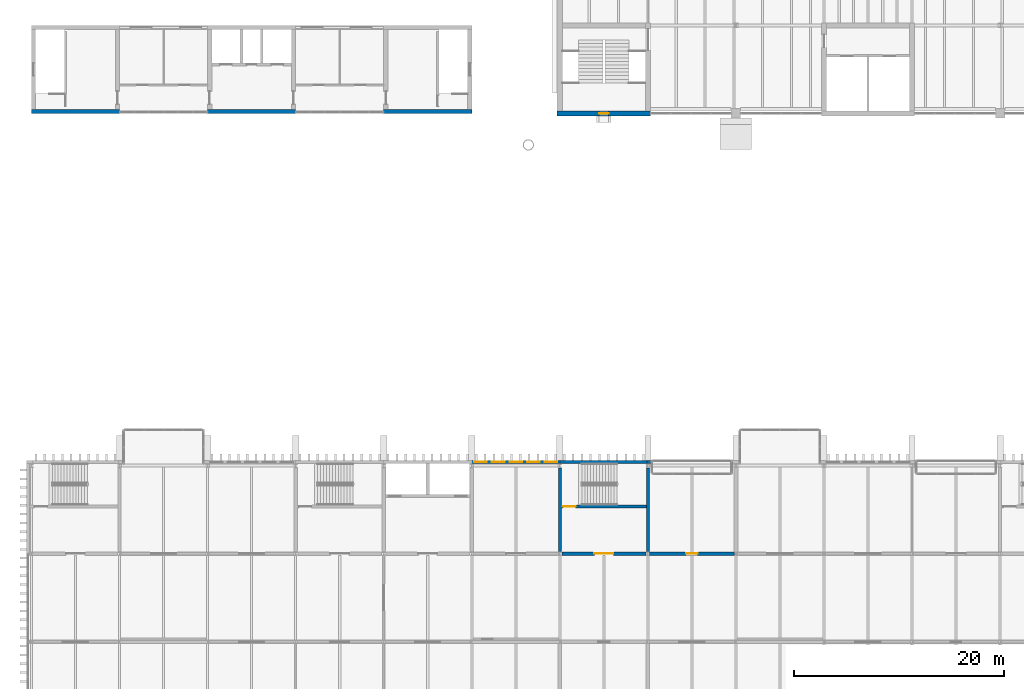
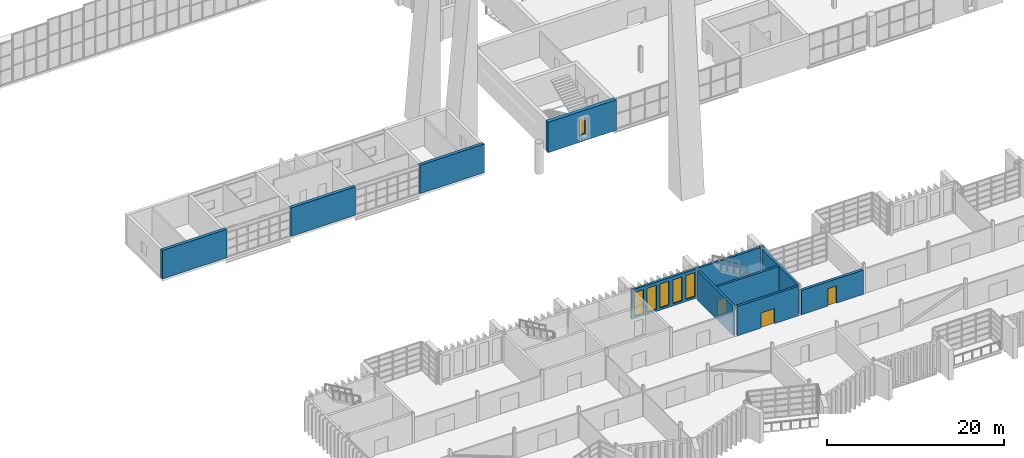
# One storey, part 62 of 100: 12 walls, 6 windows, 3 doors, 9 openings.
"""IFC4 building model written with IfcOpenShell, lengths in metres."""

from ifc_helpers import new_model, si_unit, direction, frame, frame_2d, origin, place, context, subcontext, project, spatial, rectangle, extrude, material, layer, layer_set, type_object, element, fill, save


model = new_model("IFC4")

# Units and contexts
model_context = context("Model", 3, precision=1e-05, world=origin(), true_north=direction((0.0, 1.0)))
body_context = subcontext(model_context, "Body", "Model", "MODEL_VIEW")
ifc_project = project(units=[si_unit("LENGTHUNIT", "METRE"), si_unit("AREAUNIT", "SQUARE_METRE"), si_unit("VOLUMEUNIT", "CUBIC_METRE"), si_unit("PLANEANGLEUNIT", "RADIAN"), si_unit("MASSUNIT", "GRAM", prefix="KILO")], contexts=[model_context])

# Site, building, storey
site_placement = place(None, origin())
site = spatial("IfcSite", under=ifc_project, at=site_placement, CompositionType="ELEMENT")
building_placement = place(site_placement, origin())
building = spatial("IfcBuilding", under=site, at=building_placement, Name="Cresset Court Congress Hotel", CompositionType="ELEMENT")
storey_placement = place(building_placement, frame((0.0, 0.0, 10.199951171875)))
storey = spatial("IfcBuildingStorey", under=building, at=storey_placement, Name="L02", CompositionType="ELEMENT", Elevation=10.199951171875)

# Wall, opening, door
ifc_material_1 = material(Name="Double gypsum board leaves on steel studs with mineral wool", Category="steel")
ifc_layer_1 = layer(ifc_material_1, 0.35009765625)
ifc_layer_set_1 = layer_set([ifc_layer_1], Name="Acoustic double-leaf boardroom wall 350")
wall_type_1 = type_object("IfcWallType", Name="Acoustic double-leaf boardroom wall 350", PredefinedType="PARTITIONING", material=ifc_layer_set_1)
wall_1_placement = place(storey_placement, frame((67.35009765625, 16.800048828125, 0.0), z_axis=(0.0, 0.0, 1.0), x_axis=(1.0, 0.0, 0.0)))
wall_1 = element("IfcWall", 1, at=wall_1_placement, inside=storey, type_object=wall_type_1, Name="Boardroom acoustic wall", PredefinedType="PARTITIONING", context=body_context, shape_type="SweptSolid", body=[
    extrude(rectangle(XDim=8.099853515625, YDim=0.35009765625, at=frame_2d((4.0498046875, 0.0))), origin(), (0.0, 0.0, 1.0), 3.35009765625),
])
opening_1_placement = place(wall_1_placement, frame((3.5, 0.0, 0.0)))
opening_1 = element("IfcOpeningElement", 2, at=opening_1_placement, cuts=wall_1, Name="Opening DB-02-20", PredefinedType="OPENING", context=body_context, shape_type="SweptSolid", body=[
    extrude(rectangle(XDim=1.10009765625, YDim=2.39990234375, at=frame_2d((0.550048828125, 1.199951171875))), frame((0.0, 0.18505859375, 0.0), z_axis=(0.0, -1.0, 0.0), x_axis=(1.0, 0.0, 0.0)), (0.0, 0.0, 1.0), 0.3701171875),
])
ifc_material_2 = material(Name="Solid-core timber with acoustic seals", Category="wood")
door_type_1 = type_object("IfcDoorType", Name="Boardroom acoustic door FD30 1100x2400", OperationType="SINGLE_SWING_LEFT", PredefinedType="DOOR", material=ifc_material_2)
door_1_placement = place(opening_1_placement, origin())
door_1 = element("IfcDoor", 3, at=door_1_placement, inside=storey, type_object=door_type_1, Name="Boardroom door", OperationType="SINGLE_SWING_LEFT", OverallHeight=2.39990234375, OverallWidth=1.10009765625, PredefinedType="DOOR", context=body_context, shape_type="SweptSolid", body=[
    extrude(rectangle(XDim=1.10009765625, YDim=2.39990234375, at=frame_2d((0.550048828125, 1.199951171875))), frame((0.0, 0.02490234375, 0.0), z_axis=(0.0, -1.0, 0.0), x_axis=(1.0, 0.0, 0.0)), (0.0, 0.0, 1.0), 0.050048828125),
])
fill(opening_1, door_1)

# Walls
ifc_material_3 = material(Name="Concrete C50", Category="concrete")
ifc_layer_2 = layer(ifc_material_3, 0.300048828125)
ifc_layer_set_2 = layer_set([ifc_layer_2], Name="Core wall 300 Concrete C50")
wall_type_2 = type_object("IfcWallType", Name="Core wall 300 Concrete C50", PredefinedType="SHEAR", material=ifc_layer_set_2)
for number, where, z_axis, x_axis, name in (
    (4, (58.800048828125, 17.0, 0.0), (0.0, 0.0, 1.0), (0.0, 1.0, 0.0), "Core wall ST-B3"),
    (5, (67.199951171875, 17.0, 0.0), (0.0, 0.0, 1.0), (0.0, 1.0, 0.0), "Core wall ST-B3"),
):
    element("IfcWall", number, at=place(storey_placement, frame(where, z_axis=z_axis, x_axis=x_axis)), inside=storey, type_object=wall_type_2, Name=name, PredefinedType="SHEAR", context=body_context, shape_type="SweptSolid", body=[
        extrude(rectangle(XDim=8.0, YDim=0.300048828125, at=frame_2d((4.0, 0.0))), origin(), (0.0, 0.0, 1.0), 4.050048828125),
    ])

# Wall, opening, door
wall_2_placement = place(storey_placement, frame((59.0, 16.800048828125, 0.0), z_axis=(0.0, 0.0, 1.0), x_axis=(1.0, 0.0, 0.0)))
wall_2 = element("IfcWall", 6, at=wall_2_placement, inside=storey, type_object=wall_type_2, Name="Core wall ST-B3", PredefinedType="SHEAR", context=body_context, shape_type="SweptSolid", body=[
    extrude(rectangle(XDim=8.0, YDim=0.300048828125, at=frame_2d((4.0, 0.0))), origin(), (0.0, 0.0, 1.0), 4.050048828125),
])
opening_2_placement = place(wall_2_placement, frame((3.10009765625, 0.0, 0.0)))
opening_2 = element("IfcOpeningElement", 7, at=opening_2_placement, cuts=wall_2, Name="Opening DB-02-46", PredefinedType="OPENING", context=body_context, shape_type="SweptSolid", body=[
    extrude(rectangle(XDim=1.800048828125, YDim=2.10009765625, at=frame_2d((0.89990234375, 1.050048828125))), frame((0.0, 0.159912109375, 0.0), z_axis=(0.0, -1.0, 0.0), x_axis=(1.0, 0.0, 0.0)), (0.0, 0.0, 1.0), 0.320068359375),
])
ifc_material_4 = material(Name="Timber and steel frame", Category="steel")
door_type_2 = type_object("IfcDoorType", Name="Lobby fire door FD60 double 1800x2100", OperationType="DOUBLE_DOOR_SINGLE_SWING", PredefinedType="DOOR", material=ifc_material_4)
door_2_placement = place(opening_2_placement, origin())
door_2 = element("IfcDoor", 8, at=door_2_placement, inside=storey, type_object=door_type_2, Name="Stair lobby door ST-B3", OperationType="DOUBLE_DOOR_SINGLE_SWING", OverallHeight=2.10009765625, OverallWidth=1.800048828125, PredefinedType="DOOR", context=body_context, shape_type="SweptSolid", body=[
    extrude(rectangle(XDim=1.800048828125, YDim=2.10009765625, at=frame_2d((0.89990234375, 1.050048828125))), frame((0.0, 0.02490234375, 0.0), z_axis=(0.0, -1.0, 0.0), x_axis=(1.0, 0.0, 0.0)), (0.0, 0.0, 1.0), 0.050048828125),
])
fill(opening_2, door_2)

wall_3_placement = place(storey_placement, frame((58.949951171875, 21.300048828125, 0.0), z_axis=(0.0, 0.0, 1.0), x_axis=(1.0, 0.0, 0.0)))
wall_3 = element("IfcWall", 9, at=wall_3_placement, inside=storey, type_object=wall_type_2, Name="Core wall ST-B3", PredefinedType="SHEAR", context=body_context, shape_type="SweptSolid", body=[
    extrude(rectangle(XDim=8.10009765625, YDim=0.300048828125, at=frame_2d((4.050048828125, 0.0))), origin(), (0.0, 0.0, 1.0), 4.050048828125),
])
opening_3_placement = place(wall_3_placement, frame((0.14990234375, 0.0, 0.0)))
opening_3 = element("IfcOpeningElement", 10, at=opening_3_placement, cuts=wall_3, Name="Opening DB-02-45", PredefinedType="OPENING", context=body_context, shape_type="SweptSolid", body=[
    extrude(rectangle(XDim=1.199951171875, YDim=2.10009765625, at=frame_2d((0.60009765625, 1.050048828125))), frame((0.0, 0.159912109375, 0.0), z_axis=(0.0, -1.0, 0.0), x_axis=(1.0, 0.0, 0.0)), (0.0, 0.0, 1.0), 0.320068359375),
])
ifc_material_5 = material(Name="Timber and steel frame", Category="steel")
door_type_3 = type_object("IfcDoorType", Name="Stair fire door FD60 1200x2100", OperationType="SINGLE_SWING_LEFT", PredefinedType="DOOR", material=ifc_material_5)
door_3_placement = place(opening_3_placement, origin())
door_3 = element("IfcDoor", 11, at=door_3_placement, inside=storey, type_object=door_type_3, Name="Stair door ST-B3", OperationType="SINGLE_SWING_LEFT", OverallHeight=2.10009765625, OverallWidth=1.199951171875, PredefinedType="DOOR", context=body_context, shape_type="SweptSolid", body=[
    extrude(rectangle(XDim=1.199951171875, YDim=2.10009765625, at=frame_2d((0.60009765625, 1.050048828125))), frame((0.0, 0.02490234375, 0.0), z_axis=(0.0, -1.0, 0.0), x_axis=(1.0, 0.0, 0.0)), (0.0, 0.0, 1.0), 0.050048828125),
])
fill(opening_3, door_3)

# Wall
ifc_material_6 = material(Name="Concrete C50", Category="concrete")
ifc_layer_3 = layer(ifc_material_6, 0.300048828125)
ifc_layer_set_3 = layer_set([ifc_layer_3], Name="Core wall 300 Concrete C50 external")
wall_type_3 = type_object("IfcWallType", Name="Core wall 300 Concrete C50 external", PredefinedType="SHEAR", material=ifc_layer_set_3)
wall_4_placement = place(storey_placement, frame((58.800048828125, 25.550048828125, 0.0), z_axis=(0.0, 0.0, 1.0), x_axis=(1.0, 0.0, 0.0)))
element("IfcWall", 12, at=wall_4_placement, inside=storey, type_object=wall_type_3, Name="Core wall ST-B3", PredefinedType="SHEAR", context=body_context, shape_type="SweptSolid", body=[
    extrude(rectangle(XDim=8.39990234375, YDim=0.300048828125, at=frame_2d((4.199951171875, 0.0))), origin(), (0.0, 0.0, 1.0), 4.050048828125),
])

# Wall, openings, windows
ifc_material_7 = material(Name="Concrete C40", Category="concrete")
ifc_layer_4 = layer(ifc_material_7, 0.300048828125)
ifc_layer_set_4 = layer_set([ifc_layer_4], Name="External wall 300 Concrete C40")
wall_type_4 = type_object("IfcWallType", Name="External wall 300 Concrete C40", PredefinedType="SOLIDWALL", material=ifc_layer_set_4)
wall_5_placement = place(storey_placement, frame((50.300048828125, 25.550048828125, 0.0), z_axis=(0.0, 0.0, 1.0), x_axis=(1.0, 0.0, 0.0)))
wall_5 = element("IfcWall", 13, at=wall_5_placement, inside=storey, type_object=wall_type_4, Name="External wall", PredefinedType="SOLIDWALL", context=body_context, shape_type="SweptSolid", body=[
    extrude(rectangle(XDim=8.599853515625, YDim=0.300048828125, at=frame_2d((4.2998046875, 0.0))), origin(), (0.0, 0.0, 1.0), 4.050048828125),
])
opening_4_placement = place(wall_5_placement, frame((0.340087890625, 0.0, 0.300048828125)))
opening_4 = element("IfcOpeningElement", 14, at=opening_4_placement, cuts=wall_5, Name="Opening NB-02-54", PredefinedType="OPENING", context=body_context, shape_type="SweptSolid", body=[
    extrude(rectangle(XDim=1.199951171875, YDim=3.300048828125, at=frame_2d((0.60009765625, 1.64990234375))), frame((0.0, 0.159912109375, 0.0), z_axis=(0.0, -1.0, 0.0), x_axis=(1.0, 0.0, 0.0)), (0.0, 0.0, 1.0), 0.320068359375),
])
opening_5_placement = place(wall_5_placement, frame((2.02001953125, 0.0, 0.300048828125)))
opening_5 = element("IfcOpeningElement", 15, at=opening_5_placement, cuts=wall_5, Name="Opening NB-02-55", PredefinedType="OPENING", context=body_context, shape_type="SweptSolid", body=[
    extrude(rectangle(XDim=1.199951171875, YDim=3.300048828125, at=frame_2d((0.60009765625, 1.64990234375))), frame((0.0, 0.159912109375, 0.0), z_axis=(0.0, -1.0, 0.0), x_axis=(1.0, 0.0, 0.0)), (0.0, 0.0, 1.0), 0.320068359375),
])
opening_6_placement = place(wall_5_placement, frame((3.699951171875, 0.0, 0.300048828125)))
opening_6 = element("IfcOpeningElement", 16, at=opening_6_placement, cuts=wall_5, Name="Opening NB-02-56", PredefinedType="OPENING", context=body_context, shape_type="SweptSolid", body=[
    extrude(rectangle(XDim=1.199951171875, YDim=3.300048828125, at=frame_2d((0.60009765625, 1.64990234375))), frame((0.0, 0.159912109375, 0.0), z_axis=(0.0, -1.0, 0.0), x_axis=(1.0, 0.0, 0.0)), (0.0, 0.0, 1.0), 0.320068359375),
])
opening_7_placement = place(wall_5_placement, frame((5.3798828125, 0.0, 0.300048828125)))
opening_7 = element("IfcOpeningElement", 17, at=opening_7_placement, cuts=wall_5, Name="Opening NB-02-57", PredefinedType="OPENING", context=body_context, shape_type="SweptSolid", body=[
    extrude(rectangle(XDim=1.199951171875, YDim=3.300048828125, at=frame_2d((0.60009765625, 1.64990234375))), frame((0.0, 0.159912109375, 0.0), z_axis=(0.0, -1.0, 0.0), x_axis=(1.0, 0.0, 0.0)), (0.0, 0.0, 1.0), 0.320068359375),
])
opening_8_placement = place(wall_5_placement, frame((7.06005859375, 0.0, 0.300048828125)))
opening_8 = element("IfcOpeningElement", 18, at=opening_8_placement, cuts=wall_5, Name="Opening NB-02-58", PredefinedType="OPENING", context=body_context, shape_type="SweptSolid", body=[
    extrude(rectangle(XDim=1.199951171875, YDim=3.300048828125, at=frame_2d((0.60009765625, 1.64990234375))), frame((0.0, 0.159912109375, 0.0), z_axis=(0.0, -1.0, 0.0), x_axis=(1.0, 0.0, 0.0)), (0.0, 0.0, 1.0), 0.320068359375),
])
ifc_material_8 = material(Name="Aluminium frame with double glazing", Category="aluminium")
window_type_1 = type_object("IfcWindowType", Name="Window 1200x3300", PartitioningType="TRIPLE_PANEL_VERTICAL", PredefinedType="WINDOW", material=ifc_material_8)
window_1_placement = place(opening_4_placement, origin())
window_1 = element("IfcWindow", 19, at=window_1_placement, inside=storey, type_object=window_type_1, Name="Window NB-02-54", OverallHeight=3.300048828125, OverallWidth=1.199951171875, PartitioningType="TRIPLE_PANEL_VERTICAL", PredefinedType="WINDOW", context=body_context, shape_type="SweptSolid", body=[
    extrude(rectangle(XDim=1.199951171875, YDim=3.300048828125, at=frame_2d((0.60009765625, 1.64990234375))), frame((0.0, 0.030029296875, 0.0), z_axis=(0.0, -1.0, 0.0), x_axis=(1.0, 0.0, 0.0)), (0.0, 0.0, 1.0), 0.06005859375),
])
fill(opening_4, window_1)
window_2_placement = place(opening_5_placement, origin())
window_2 = element("IfcWindow", 20, at=window_2_placement, inside=storey, type_object=window_type_1, Name="Window NB-02-55", OverallHeight=3.300048828125, OverallWidth=1.199951171875, PartitioningType="TRIPLE_PANEL_VERTICAL", PredefinedType="WINDOW", context=body_context, shape_type="SweptSolid", body=[
    extrude(rectangle(XDim=1.199951171875, YDim=3.300048828125, at=frame_2d((0.60009765625, 1.64990234375))), frame((0.0, 0.030029296875, 0.0), z_axis=(0.0, -1.0, 0.0), x_axis=(1.0, 0.0, 0.0)), (0.0, 0.0, 1.0), 0.06005859375),
])
fill(opening_5, window_2)
window_3_placement = place(opening_6_placement, origin())
window_3 = element("IfcWindow", 21, at=window_3_placement, inside=storey, type_object=window_type_1, Name="Window NB-02-56", OverallHeight=3.300048828125, OverallWidth=1.199951171875, PartitioningType="TRIPLE_PANEL_VERTICAL", PredefinedType="WINDOW", context=body_context, shape_type="SweptSolid", body=[
    extrude(rectangle(XDim=1.199951171875, YDim=3.300048828125, at=frame_2d((0.60009765625, 1.64990234375))), frame((0.0, 0.030029296875, 0.0), z_axis=(0.0, -1.0, 0.0), x_axis=(1.0, 0.0, 0.0)), (0.0, 0.0, 1.0), 0.06005859375),
])
fill(opening_6, window_3)
window_4_placement = place(opening_7_placement, origin())
window_4 = element("IfcWindow", 22, at=window_4_placement, inside=storey, type_object=window_type_1, Name="Window NB-02-57", OverallHeight=3.300048828125, OverallWidth=1.199951171875, PartitioningType="TRIPLE_PANEL_VERTICAL", PredefinedType="WINDOW", context=body_context, shape_type="SweptSolid", body=[
    extrude(rectangle(XDim=1.199951171875, YDim=3.300048828125, at=frame_2d((0.60009765625, 1.64990234375))), frame((0.0, 0.030029296875, 0.0), z_axis=(0.0, -1.0, 0.0), x_axis=(1.0, 0.0, 0.0)), (0.0, 0.0, 1.0), 0.06005859375),
])
fill(opening_7, window_4)
window_5_placement = place(opening_8_placement, origin())
window_5 = element("IfcWindow", 23, at=window_5_placement, inside=storey, type_object=window_type_1, Name="Window NB-02-58", OverallHeight=3.300048828125, OverallWidth=1.199951171875, PartitioningType="TRIPLE_PANEL_VERTICAL", PredefinedType="WINDOW", context=body_context, shape_type="SweptSolid", body=[
    extrude(rectangle(XDim=1.199951171875, YDim=3.300048828125, at=frame_2d((0.60009765625, 1.64990234375))), frame((0.0, 0.030029296875, 0.0), z_axis=(0.0, -1.0, 0.0), x_axis=(1.0, 0.0, 0.0)), (0.0, 0.0, 1.0), 0.06005859375),
])
fill(opening_8, window_5)

# Wall
wall_6_placement = place(storey_placement, frame((67.10009765625, 25.550048828125, 0.0), z_axis=(0.0, 0.0, 1.0), x_axis=(1.0, 0.0, 0.0)))
element("IfcWall", 24, at=wall_6_placement, inside=storey, type_object=wall_type_4, Name="External wall", PredefinedType="SOLIDWALL", context=body_context, shape_type="SweptSolid", body=[
    extrude(rectangle(XDim=0.5, YDim=0.300048828125, at=frame_2d((0.25, 0.0))), origin(), (0.0, 0.0, 1.0), 4.050048828125),
])

# Wall, opening, window
ifc_material_9 = material(Name="Limestone-faced precast concrete C50", Category="masonry")
ifc_layer_5 = layer(ifc_material_9, 0.5)
ifc_layer_set_5 = layer_set([ifc_layer_5], Name="Hall perimeter wall 500")
wall_type_5 = type_object("IfcWallType", Name="Hall perimeter wall 500", PredefinedType="SOLIDWALL", material=ifc_layer_set_5)
wall_7_placement = place(storey_placement, frame((67.449951171875, 58.800048828125, 0.0), z_axis=(0.0, 0.0, 1.0), x_axis=(-1.0, 0.0, 0.0)))
wall_7 = element("IfcWall", 25, at=wall_7_placement, inside=storey, type_object=wall_type_5, Name="Wall CW-SL02-1", PredefinedType="SOLIDWALL", context=body_context, shape_type="SweptSolid", body=[
    extrude(rectangle(XDim=8.89990234375, YDim=0.5, at=frame_2d((4.449951171875, 0.0))), origin(), (0.0, 0.0, 1.0), 4.199951171875),
])
opening_9_placement = place(wall_7_placement, frame((4.0, 0.0, 0.89990234375)))
opening_9 = element("IfcOpeningElement", 26, at=opening_9_placement, cuts=wall_7, Name="Opening NC-02-C1", PredefinedType="OPENING", context=body_context, shape_type="SweptSolid", body=[
    extrude(rectangle(XDim=0.89990234375, YDim=2.39990234375, at=frame_2d((0.449951171875, 1.199951171875))), frame((0.0, 0.260009765625, 0.0), z_axis=(0.0, -1.0, 0.0), x_axis=(1.0, 0.0, 0.0)), (0.0, 0.0, 1.0), 0.52001953125),
])
ifc_material_10 = material(Name="Aluminium and glass", Category="aluminium")
window_type_2 = type_object("IfcWindowType", Name="Fixed window 900x2400", PartitioningType="SINGLE_PANEL", PredefinedType="WINDOW", material=ifc_material_10)
window_6_placement = place(opening_9_placement, origin())
window_6 = element("IfcWindow", 27, at=window_6_placement, inside=storey, type_object=window_type_2, Name="Window NC-02-C1", OverallHeight=2.39990234375, OverallWidth=0.89990234375, PartitioningType="SINGLE_PANEL", PredefinedType="WINDOW", context=body_context, shape_type="SweptSolid", body=[
    extrude(rectangle(XDim=0.89990234375, YDim=2.39990234375, at=frame_2d((0.449951171875, 1.199951171875))), frame((0.0, 0.030029296875, 0.0), z_axis=(0.0, -1.0, 0.0), x_axis=(1.0, 0.0, 0.0)), (0.0, 0.0, 1.0), 0.06005859375),
])
fill(opening_9, window_6)

# Walls
ifc_material_11 = material(Name="Concrete C50", Category="concrete")
ifc_layer_6 = layer(ifc_material_11, 0.39990234375)
ifc_layer_set_6 = layer_set([ifc_layer_6], Name="RC core wall 400 C50")
wall_type_6 = type_object("IfcWallType", Name="RC core wall 400 C50", PredefinedType="SOLIDWALL", material=ifc_layer_set_6)
for number, where, z_axis, x_axis, name in (
    (28, (8.39990234375, 59.0, 0.0), (0.0, 0.0, 1.0), (1.0, 0.0, 0.0), "ST-D1 south wall"),
    (29, (25.199951171875, 59.0, 0.0), (0.0, 0.0, 1.0), (1.0, 0.0, 0.0), "LC-D1 south wall"),
):
    element("IfcWall", number, at=place(storey_placement, frame(where, z_axis=z_axis, x_axis=x_axis)), inside=storey, type_object=wall_type_6, Name=name, PredefinedType="SOLIDWALL", context=body_context, shape_type="SweptSolid", body=[
        extrude(rectangle(XDim=8.400146484375, YDim=0.39990234375, at=frame_2d((4.2001953125, 0.0))), origin(), (0.0, 0.0, 1.0), 3.920166015625),
    ])
wall_8_placement = place(storey_placement, frame((42.0, 59.0, 0.0), z_axis=(0.0, 0.0, 1.0), x_axis=(1.0, 0.0, 0.0)))
element("IfcWall", 30, at=wall_8_placement, inside=storey, type_object=wall_type_6, Name="ST-D2 south wall", PredefinedType="SOLIDWALL", context=body_context, shape_type="SweptSolid", body=[
    extrude(rectangle(XDim=8.39990234375, YDim=0.39990234375, at=frame_2d((4.199951171875, 0.0))), origin(), (0.0, 0.0, 1.0), 3.920166015625),
])

save(model, "model.ifc")
